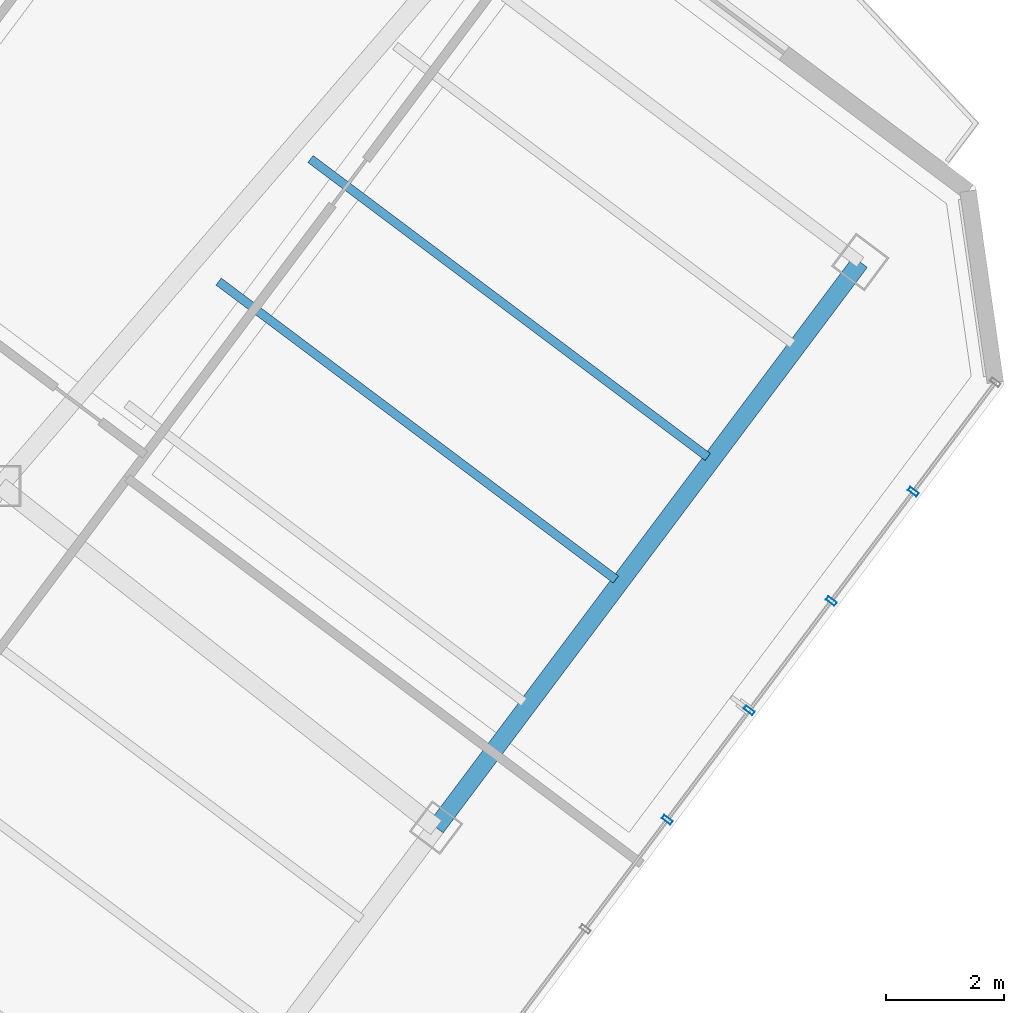
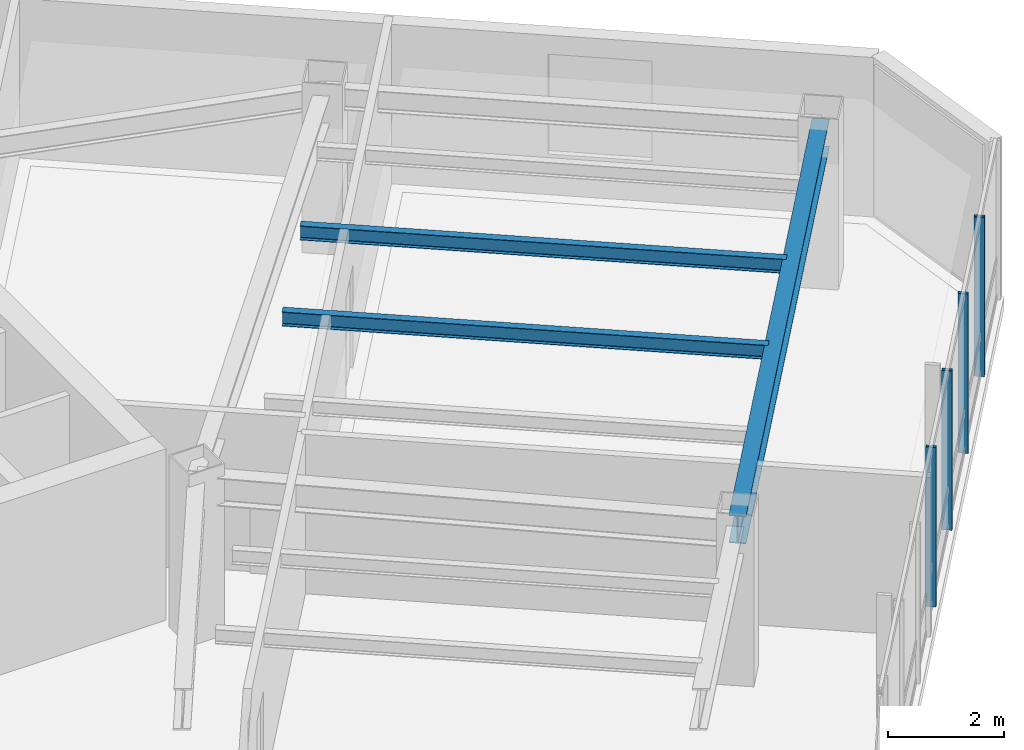
# One storey, part 13 of 25: 4 members, 3 beams, 1 element without a shape of its own.
"""IFC4 building model written with IfcOpenShell, lengths in metres."""

from ifc_helpers import new_model, si_unit, direction, frame, origin, origin_2d, place, context, subcontext, project, spatial, hollow_rectangle, i_section, extrude, material, layer, layer_set, material_profile, profile_set, type_object, element, aggregate, save


model = new_model("IFC4")

# Units and contexts
model_context = context("Model", 3, precision=1e-05, world=origin(), true_north=direction((0.0, 1.0)))
body_context = subcontext(model_context, "Body", "Model", "MODEL_VIEW")
ifc_project = project(units=[si_unit("LENGTHUNIT", "METRE"), si_unit("AREAUNIT", "SQUARE_METRE"), si_unit("VOLUMEUNIT", "CUBIC_METRE"), si_unit("PLANEANGLEUNIT", "RADIAN"), si_unit("MASSUNIT", "GRAM", prefix="KILO")], contexts=[model_context])

# Site, building, storey
site_placement = place(None, origin())
site = spatial("IfcSite", under=ifc_project, at=site_placement, CompositionType="ELEMENT")
building_placement = place(site_placement, origin())
building = spatial("IfcBuilding", under=site, at=building_placement, Name="Hatsunagi Terrace Concourse", CompositionType="ELEMENT")
storey_placement = place(building_placement, frame((0.0, 0.0, 216.75)))
storey = spatial("IfcBuildingStorey", under=building, at=storey_placement, Name="L57", CompositionType="ELEMENT", Elevation=216.75)

# Curtain wall, members
ifc_material_1 = material(Name="Anodised Aluminium Alloy 6063-T5", Category="aluminium")
ifc_layer = layer(ifc_material_1, 0.199951171875)
ifc_layer_set = layer_set([ifc_layer], Name="OfficeZone2_CW04")
curtain_wall_type = type_object("IfcCurtainWallType", Name="OfficeZone2_CW04", PredefinedType="NOTDEFINED", material=ifc_layer_set)
curtain_wall_placement = place(storey_placement, origin())
curtain_wall = element("IfcCurtainWall", 1, at=curtain_wall_placement, inside=storey, type_object=curtain_wall_type, Name="Unitised Curtain Wall CW-04 CW-L57-03", PredefinedType="NOTDEFINED")
ifc_material_2 = material(Name="Anodised Aluminium Alloy 6063-T5", Category="aluminium")
ifc_material_profile_1 = material_profile(ifc_material_2, hollow_rectangle(XDim=0.070068359375, YDim=0.179931640625, WallThickness=0.00390625, at=origin_2d()), Name="ALU-MUL-180x70x4")
ifc_profile_set_1 = profile_set([ifc_material_profile_1], Name="Anodised Aluminium Alloy 6063-T5")
member_type = type_object("IfcMemberType", Name="CurtainWallMullion_180x70", PredefinedType="MULLION", material=ifc_profile_set_1)
member_1_placement = place(storey_placement, frame((59.301025390625, 24.10205078125, 0.0), z_axis=(0.0, 0.0, 1.0), x_axis=(-0.599969314634, -0.800023013105, 0.0)))
member_1 = element("IfcMember", 2, at=member_1_placement, type_object=member_type, Name="Curtain Wall Mullion MUL-02", PredefinedType="MULLION", context=body_context, shape_type="SweptSolid", body=[
    extrude(hollow_rectangle(XDim=0.070068359375, YDim=0.179931640625, WallThickness=0.00390625, at=origin_2d()), origin(), (0.0, 0.0, 1.0), 3.35009765625),
])
member_2_placement = place(storey_placement, frame((57.908935546875, 22.2451171875, 0.0), z_axis=(0.0, 0.0, 1.0), x_axis=(-0.599969314634, -0.800023013105, 0.0)))
member_2 = element("IfcMember", 3, at=member_2_placement, type_object=member_type, Name="Curtain Wall Mullion MUL-02", PredefinedType="MULLION", context=body_context, shape_type="SweptSolid", body=[
    extrude(hollow_rectangle(XDim=0.070068359375, YDim=0.179931640625, WallThickness=0.00390625, at=origin_2d()), origin(), (0.0, 0.0, 1.0), 3.35009765625),
])
member_3_placement = place(storey_placement, frame((56.51611328125, 20.388916015625, 0.0), z_axis=(0.0, 0.0, 1.0), x_axis=(-0.599969314634, -0.800023013105, 0.0)))
member_3 = element("IfcMember", 4, at=member_3_placement, type_object=member_type, Name="Curtain Wall Mullion MUL-02", PredefinedType="MULLION", context=body_context, shape_type="SweptSolid", body=[
    extrude(hollow_rectangle(XDim=0.070068359375, YDim=0.179931640625, WallThickness=0.00390625, at=origin_2d()), origin(), (0.0, 0.0, 1.0), 3.35009765625),
])
member_4_placement = place(storey_placement, frame((55.1240234375, 18.531982421875, 0.0), z_axis=(0.0, 0.0, 1.0), x_axis=(-0.599969314634, -0.800023013105, 0.0)))
member_4 = element("IfcMember", 5, at=member_4_placement, type_object=member_type, Name="Curtain Wall Mullion MUL-02", PredefinedType="MULLION", context=body_context, shape_type="SweptSolid", body=[
    extrude(hollow_rectangle(XDim=0.070068359375, YDim=0.179931640625, WallThickness=0.00390625, at=origin_2d()), origin(), (0.0, 0.0, 1.0), 3.35009765625),
])
aggregate(curtain_wall, [member_1, member_2, member_3, member_4])

# Beams
ifc_material_3 = material(Name="Steel SN490B", Category="steel")
ifc_material_profile_2 = material_profile(ifc_material_3, i_section(OverallWidth=0.300048828125, OverallDepth=0.587890625, WebThickness=0.011962890625, FlangeThickness=0.02001953125, FilletRadius=0.01806640625, at=origin_2d()), Name="H-588x300x12x20")
ifc_profile_set_2 = profile_set([ifc_material_profile_2], Name="Steel SN490B")
beam_type_1 = type_object("IfcBeamType", Name="OfficeHighGirder_H_588x300", PredefinedType="BEAM", material=ifc_profile_set_2)
beam_placement = place(storey_placement, frame((51.199951171875, 18.39990234375, 3.055908203125), z_axis=(0.59999348959, 0.800004882766, 0.0), x_axis=(-0.800004882766, 0.59999348959, 0.0)))
element("IfcBeam", 6, at=beam_placement, inside=storey, type_object=beam_type_1, Name="Beam G-06 BM-L57-SET-2B", PredefinedType="BEAM", context=body_context, shape_type="SweptSolid", body=[
    extrude(i_section(OverallWidth=0.300048828125, OverallDepth=0.587890625, WebThickness=0.011962890625, FlangeThickness=0.02001953125, FilletRadius=0.01806640625, at=origin_2d()), origin(), (0.0, 0.0, 1.0), 12.0),
])
ifc_material_4 = material(Name="Steel SN490B", Category="steel")
ifc_material_profile_3 = material_profile(ifc_material_4, i_section(OverallWidth=0.14990234375, OverallDepth=0.300048828125, WebThickness=0.006591796875, FlangeThickness=0.009033203125, FilletRadius=0.010986328125, at=origin_2d()), Name="H-300x150x6.5x9")
ifc_profile_set_3 = profile_set([ifc_material_profile_3], Name="Steel SN490B")
beam_type_2 = type_object("IfcBeamType", Name="OfficeJoist_H_300x150", PredefinedType="JOIST", material=ifc_profile_set_3)
for number, where, z_axis, x_axis, name in (
    (7, (47.508056640625, 27.6689453125, 3.199951171875), (0.800003475366, -0.59999536615, 0.0), (0.59999536615, 0.800003475366, 0.0), "Beam J-03 J-L57-SE-2-168"),
    (8, (49.068115234375, 29.7490234375, 3.199951171875), (0.799989573921, -0.600013901187, 0.0), (0.600013901187, 0.799989573921, 0.0), "Beam J-03 J-L57-SE-2-194"),
):
    element("IfcBeam", number, at=place(storey_placement, frame(where, z_axis=z_axis, x_axis=x_axis)), inside=storey, type_object=beam_type_2, Name=name, PredefinedType="JOIST", context=body_context, shape_type="SweptSolid", body=[
        extrude(i_section(OverallWidth=0.14990234375, OverallDepth=0.300048828125, WebThickness=0.006591796875, FlangeThickness=0.009033203125, FilletRadius=0.010986328125, at=origin_2d()), origin(), (0.0, 0.0, 1.0), 8.429931640625),
    ])

save(model, "model.ifc")
